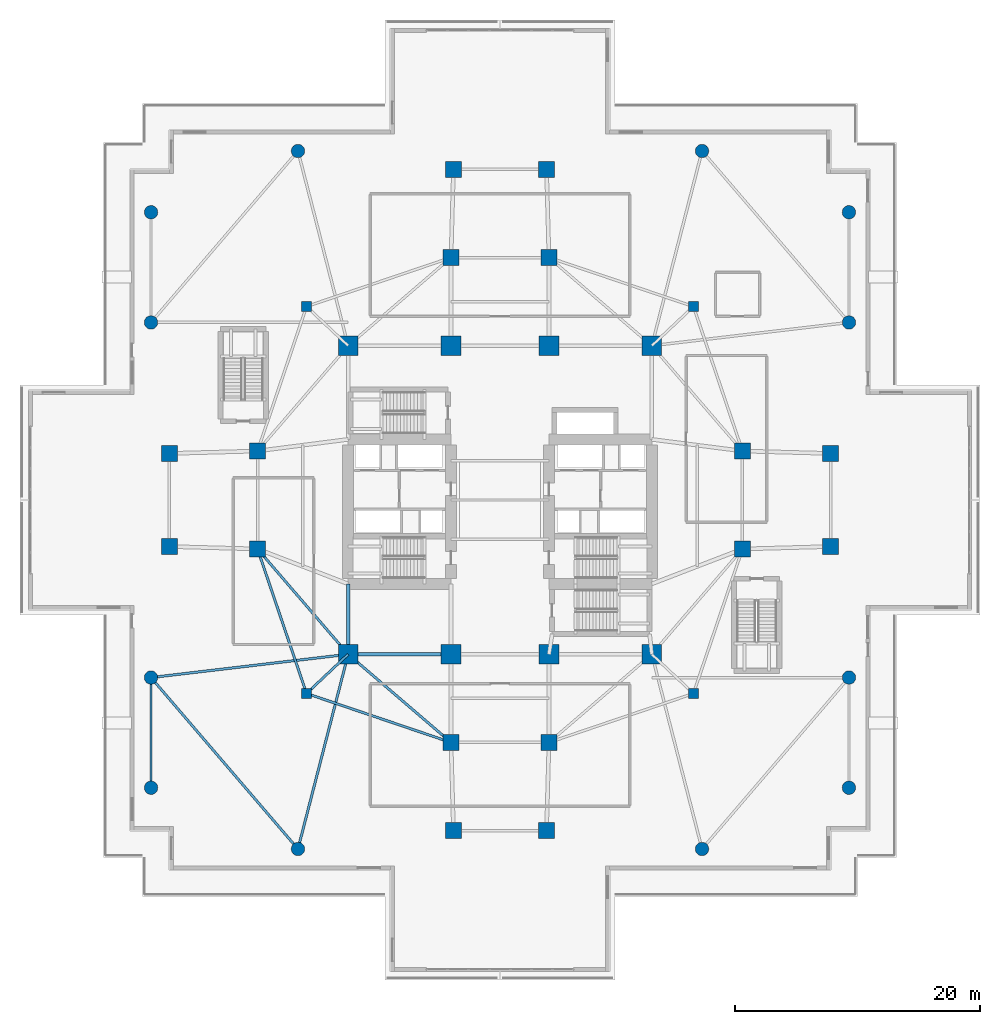
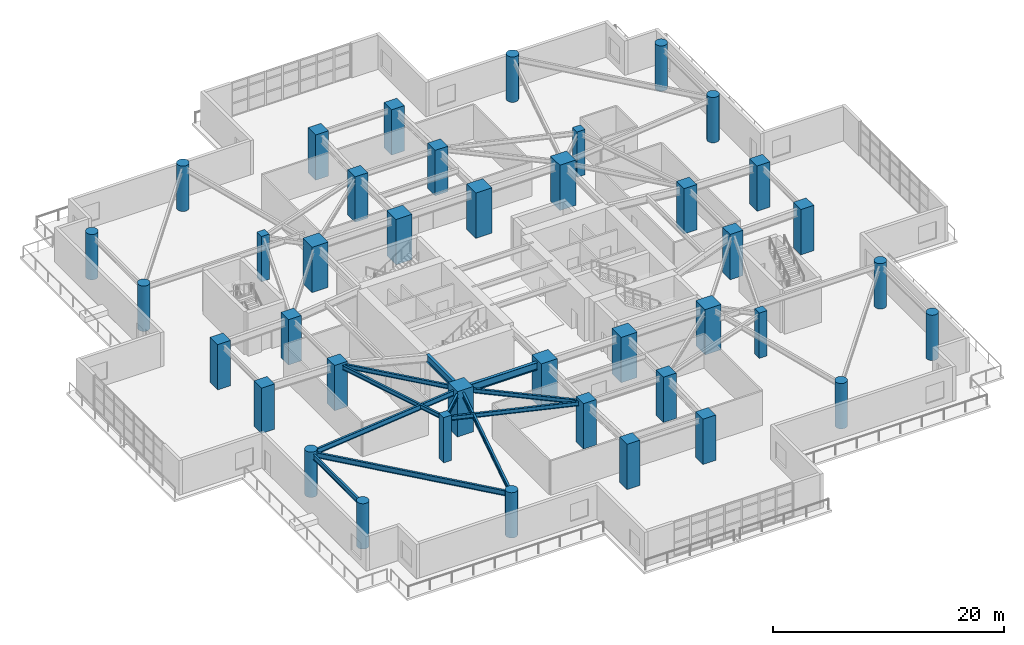
# One storey, part 1 of 23: 40 columns, 11 beams.
"""IFC4 building model written with IfcOpenShell, lengths in metres."""

from ifc_helpers import new_model, si_unit, direction, frame, origin, origin_2d, place, context, subcontext, project, spatial, rectangle, circle, i_section, extrude, material, material_profile, profile_set, type_object, element, save


model = new_model("IFC4")

# Units and contexts
model_context = context("Model", 3, precision=1e-05, world=origin(), true_north=direction((0.0, 1.0)))
body_context = subcontext(model_context, "Body", "Model", "MODEL_VIEW")
ifc_project = project(units=[si_unit("LENGTHUNIT", "METRE"), si_unit("AREAUNIT", "SQUARE_METRE"), si_unit("VOLUMEUNIT", "CUBIC_METRE"), si_unit("PLANEANGLEUNIT", "RADIAN"), si_unit("MASSUNIT", "GRAM", prefix="KILO")], contexts=[model_context])

# Site, building, storey
site_placement = place(None, origin())
site = spatial("IfcSite", under=ifc_project, at=site_placement, CompositionType="ELEMENT")
building_placement = place(site_placement, origin())
building = spatial("IfcBuilding", under=site, at=building_placement, Name="Qingluan Cross Belvedere", CompositionType="ELEMENT")
storey_placement = place(building_placement, frame((0.0, 0.0, 5.39990234375)))
storey = spatial("IfcBuildingStorey", under=building, at=storey_placement, Name="L02", CompositionType="ELEMENT", Elevation=5.39990234375)

# Columns
ifc_material_1 = material(Name="Concrete C60", Category="concrete")
ifc_material_profile_1 = material_profile(ifc_material_1, rectangle(XDim=1.300048828125, YDim=1.300048828125, at=origin_2d()), Name="RC1300x1300")
ifc_profile_set_1 = profile_set([ifc_material_profile_1], Name="Concrete C60")
column_type_1 = type_object("IfcColumnType", Name="Column_RC1300x1300", PredefinedType="COLUMN", material=ifc_profile_set_1)
for number, where, z_axis, x_axis, name in (
    (1, (19.800048828125, -4.0, 0.0), (0.0, 0.0, 1.0), (1.0, 0.0, 0.0), "Arm column L02-EIA"),
    (2, (19.800048828125, 4.0, 0.0), (0.0, 0.0, 1.0), (1.0, 0.0, 0.0), "Arm column L02-EIB"),
    (3, (-19.800048828125, -4.0, 0.0), (0.0, 0.0, 1.0), (1.0, 0.0, 0.0), "Arm column L02-WIA"),
    (4, (-19.800048828125, 4.0, 0.0), (0.0, 0.0, 1.0), (1.0, 0.0, 0.0), "Arm column L02-WIB"),
    (5, (-4.0, -19.800048828125, 0.0), (0.0, 0.0, 1.0), (1.0, 0.0, 0.0), "Arm column L02-SIA"),
    (6, (4.0, -19.800048828125, 0.0), (0.0, 0.0, 1.0), (1.0, 0.0, 0.0), "Arm column L02-SIB"),
    (7, (-4.0, 19.800048828125, 0.0), (0.0, 0.0, 1.0), (1.0, 0.0, 0.0), "Arm column L02-NIA"),
    (8, (4.0, 19.800048828125, 0.0), (0.0, 0.0, 1.0), (1.0, 0.0, 0.0), "Arm column L02-NIB"),
    (9, (27.0, -3.800048828125, 0.0), (0.0, 0.0, 1.0), (1.0, 0.0, 0.0), "Arm column L02-EOA"),
    (10, (27.0, 3.800048828125, 0.0), (0.0, 0.0, 1.0), (1.0, 0.0, 0.0), "Arm column L02-EOB"),
    (11, (-27.0, -3.800048828125, 0.0), (0.0, 0.0, 1.0), (1.0, 0.0, 0.0), "Arm column L02-WOA"),
    (12, (-27.0, 3.800048828125, 0.0), (0.0, 0.0, 1.0), (1.0, 0.0, 0.0), "Arm column L02-WOB"),
    (13, (-3.800048828125, -27.0, 0.0), (0.0, 0.0, 1.0), (1.0, 0.0, 0.0), "Arm column L02-SOA"),
    (14, (3.800048828125, -27.0, 0.0), (0.0, 0.0, 1.0), (1.0, 0.0, 0.0), "Arm column L02-SOB"),
    (15, (-3.800048828125, 27.0, 0.0), (0.0, 0.0, 1.0), (1.0, 0.0, 0.0), "Arm column L02-NOA"),
    (16, (3.800048828125, 27.0, 0.0), (0.0, 0.0, 1.0), (1.0, 0.0, 0.0), "Arm column L02-NOB"),
):
    element("IfcColumn", number, at=place(storey_placement, frame(where, z_axis=z_axis, x_axis=x_axis)), inside=storey, type_object=column_type_1, Name=name, PredefinedType="COLUMN", context=body_context, shape_type="SweptSolid", body=[
        extrude(rectangle(XDim=1.300048828125, YDim=1.300048828125, at=origin_2d()), origin(), (0.0, 0.0, 1.0), 4.800048828125),
    ])
ifc_material_2 = material(Name="Concrete C70", Category="concrete")
ifc_material_profile_2 = material_profile(ifc_material_2, rectangle(XDim=1.60009765625, YDim=1.60009765625, at=origin_2d()), Name="RC1600x1600")
ifc_profile_set_2 = profile_set([ifc_material_profile_2], Name="Concrete C70")
column_type_2 = type_object("IfcColumnType", Name="Column_RC1600x1600", PredefinedType="COLUMN", material=ifc_profile_set_2)
for number, where, z_axis, x_axis, name in (
    (17, (-12.39990234375, -12.60009765625, 0.0), (0.0, 0.0, 1.0), (1.0, 0.0, 0.0), "Hub column L02-HC1"),
    (18, (12.39990234375, -12.60009765625, 0.0), (0.0, 0.0, 1.0), (1.0, 0.0, 0.0), "Hub column L02-HC2"),
    (19, (12.39990234375, 12.60009765625, 0.0), (0.0, 0.0, 1.0), (1.0, 0.0, 0.0), "Hub column L02-HC3"),
    (20, (-12.39990234375, 12.60009765625, 0.0), (0.0, 0.0, 1.0), (1.0, 0.0, 0.0), "Hub column L02-HC4"),
    (21, (-4.0, -12.60009765625, 0.0), (0.0, 0.0, 1.0), (1.0, 0.0, 0.0), "Hub column L02-HC5"),
    (22, (4.0, -12.60009765625, 0.0), (0.0, 0.0, 1.0), (1.0, 0.0, 0.0), "Hub column L02-HC6"),
    (23, (4.0, 12.60009765625, 0.0), (0.0, 0.0, 1.0), (1.0, 0.0, 0.0), "Hub column L02-HC7"),
    (24, (-4.0, 12.60009765625, 0.0), (0.0, 0.0, 1.0), (1.0, 0.0, 0.0), "Hub column L02-HC8"),
):
    element("IfcColumn", number, at=place(storey_placement, frame(where, z_axis=z_axis, x_axis=x_axis)), inside=storey, type_object=column_type_2, Name=name, PredefinedType="COLUMN", context=body_context, shape_type="SweptSolid", body=[
        extrude(rectangle(XDim=1.60009765625, YDim=1.60009765625, at=origin_2d()), origin(), (0.0, 0.0, 1.0), 4.800048828125),
    ])
ifc_material_3 = material(Name="Concrete C50", Category="concrete")
ifc_material_profile_3 = material_profile(ifc_material_3, rectangle(XDim=0.800048828125, YDim=0.800048828125, at=origin_2d()), Name="RC800x800")
ifc_profile_set_3 = profile_set([ifc_material_profile_3], Name="Concrete C50")
column_type_3 = type_object("IfcColumnType", Name="Column_RC800x800", PredefinedType="COLUMN", material=ifc_profile_set_3)
for number, where, z_axis, x_axis, name in (
    (25, (15.800048828125, 15.800048828125, 0.0), (0.0, 0.0, 1.0), (1.0, 0.0, 0.0), "Corner column L02-RNE"),
    (26, (-15.800048828125, 15.800048828125, 0.0), (0.0, 0.0, 1.0), (1.0, 0.0, 0.0), "Corner column L02-RNW"),
    (27, (-15.800048828125, -15.800048828125, 0.0), (0.0, 0.0, 1.0), (1.0, 0.0, 0.0), "Corner column L02-RSW"),
    (28, (15.800048828125, -15.800048828125, 0.0), (0.0, 0.0, 1.0), (1.0, 0.0, 0.0), "Corner column L02-RSE"),
):
    element("IfcColumn", number, at=place(storey_placement, frame(where, z_axis=z_axis, x_axis=x_axis)), inside=storey, type_object=column_type_3, Name=name, PredefinedType="COLUMN", context=body_context, shape_type="SweptSolid", body=[
        extrude(rectangle(XDim=0.800048828125, YDim=0.800048828125, at=origin_2d()), origin(), (0.0, 0.0, 1.0), 4.800048828125),
    ])
ifc_material_4 = material(Name="Concrete C50", Category="concrete")
ifc_material_profile_4 = material_profile(ifc_material_4, circle(Radius=0.550048828125, at=origin_2d()), Name="RCC1100")
ifc_profile_set_4 = profile_set([ifc_material_profile_4], Name="Concrete C50")
column_type_4 = type_object("IfcColumnType", Name="Column_RCC1100", PredefinedType="COLUMN", material=ifc_profile_set_4)
for number, where, z_axis, x_axis, name in (
    (29, (-28.5, -14.5, 0.0), (0.0, 0.0, 1.0), (1.0, 0.0, 0.0), "Podium column L02-WS1"),
    (30, (-28.5, -23.5, 0.0), (0.0, 0.0, 1.0), (1.0, 0.0, 0.0), "Podium column L02-WS2"),
    (31, (-16.5, -28.5, 0.0), (0.0, 0.0, 1.0), (1.0, 0.0, 0.0), "Podium column L02-WS3"),
    (32, (-28.5, 14.5, 0.0), (0.0, 0.0, 1.0), (1.0, 0.0, 0.0), "Podium column L02-WN1"),
    (33, (-28.5, 23.5, 0.0), (0.0, 0.0, 1.0), (1.0, 0.0, 0.0), "Podium column L02-WN2"),
    (34, (-16.5, 28.5, 0.0), (0.0, 0.0, 1.0), (1.0, 0.0, 0.0), "Podium column L02-WN3"),
    (35, (28.5, -14.5, 0.0), (0.0, 0.0, 1.0), (1.0, 0.0, 0.0), "Podium column L02-ES1"),
    (36, (28.5, -23.5, 0.0), (0.0, 0.0, 1.0), (1.0, 0.0, 0.0), "Podium column L02-ES2"),
    (37, (16.5, -28.5, 0.0), (0.0, 0.0, 1.0), (1.0, 0.0, 0.0), "Podium column L02-ES3"),
    (38, (28.5, 14.5, 0.0), (0.0, 0.0, 1.0), (1.0, 0.0, 0.0), "Podium column L02-EN1"),
    (39, (28.5, 23.5, 0.0), (0.0, 0.0, 1.0), (1.0, 0.0, 0.0), "Podium column L02-EN2"),
    (40, (16.5, 28.5, 0.0), (0.0, 0.0, 1.0), (1.0, 0.0, 0.0), "Podium column L02-EN3"),
):
    element("IfcColumn", number, at=place(storey_placement, frame(where, z_axis=z_axis, x_axis=x_axis)), inside=storey, type_object=column_type_4, Name=name, PredefinedType="COLUMN", context=body_context, shape_type="SweptSolid", body=[
        extrude(circle(Radius=0.550048828125, at=origin_2d()), origin(), (0.0, 0.0, 1.0), 4.800048828125),
    ])

# Beams
ifc_material_5 = material(Name="Steel Q420GJB", Category="steel")
ifc_material_profile_5 = material_profile(ifc_material_5, i_section(OverallWidth=0.199951171875, OverallDepth=0.449951171875, WebThickness=0.009033203125, FlangeThickness=0.013916015625, FilletRadius=0.01611328125, at=origin_2d()), Name="HN450x200x9x14")
ifc_profile_set_5 = profile_set([ifc_material_profile_5], Name="Steel Q420GJB")
beam_type_1 = type_object("IfcBeamType", Name="Steel_Beam_HN450x200x9x14", PredefinedType="JOIST", material=ifc_profile_set_5)
beam_1_placement = place(storey_placement, frame((-12.39990234375, -12.60009765625, 4.3251953125), z_axis=(-0.728219948308, -0.685343495546, 0.0), x_axis=(0.685343495546, -0.728219948308, 0.0)))
element("IfcBeam", 41, at=beam_1_placement, inside=storey, type_object=beam_type_1, Name="Corner beam 1 L02-RSW", PredefinedType="JOIST", context=body_context, shape_type="SweptSolid", body=[
    extrude(i_section(OverallWidth=0.199951171875, OverallDepth=0.449951171875, WebThickness=0.009033203125, FlangeThickness=0.013916015625, FilletRadius=0.01611328125, at=origin_2d()), origin(), (0.0, 0.0, 1.0), 4.669189453125),
])
for number, where, z_axis, x_axis, name in (
    (42, (-15.800048828125, -15.800048828125, 4.3251953125), (0.947066283324, -0.321038089628, 0.0), (0.321038089628, 0.947066283324, 0.0), "Corner beam 2 L02-RSW"),
    (43, (-15.800048828125, -15.800048828125, 4.3251953125), (-0.321038089628, 0.947066283324, 0.0), (-0.947066283324, -0.321038089628, 0.0), "Corner beam 3 L02-RSW"),
):
    element("IfcBeam", number, at=place(storey_placement, frame(where, z_axis=z_axis, x_axis=x_axis)), inside=storey, type_object=beam_type_1, Name=name, PredefinedType="JOIST", context=body_context, shape_type="SweptSolid", body=[
        extrude(i_section(OverallWidth=0.199951171875, OverallDepth=0.449951171875, WebThickness=0.009033203125, FlangeThickness=0.013916015625, FilletRadius=0.01611328125, at=origin_2d()), origin(), (0.0, 0.0, 1.0), 12.45947265625),
    ])
beam_2_placement = place(storey_placement, frame((-12.39990234375, -12.60009765625, 4.3251953125), z_axis=(-0.652245077546, 0.75800815221, 0.0), x_axis=(-0.75800815221, -0.652245077546, 0.0)))
element("IfcBeam", 44, at=beam_2_placement, inside=storey, type_object=beam_type_1, Name="Corner beam 4 L02-RSW", PredefinedType="JOIST", context=body_context, shape_type="SweptSolid", body=[
    extrude(i_section(OverallWidth=0.199951171875, OverallDepth=0.449951171875, WebThickness=0.009033203125, FlangeThickness=0.013916015625, FilletRadius=0.01611328125, at=origin_2d()), origin(), (0.0, 0.0, 1.0), 11.345703125),
])
beam_3_placement = place(storey_placement, frame((-12.39990234375, -12.60009765625, 4.3251953125), z_axis=(0.759255044656, -0.650793190779, 0.0), x_axis=(0.650793190779, 0.759255044656, 0.0)))
element("IfcBeam", 45, at=beam_3_placement, inside=storey, type_object=beam_type_1, Name="Corner beam 5 L02-RSW", PredefinedType="JOIST", context=body_context, shape_type="SweptSolid", body=[
    extrude(i_section(OverallWidth=0.199951171875, OverallDepth=0.449951171875, WebThickness=0.009033203125, FlangeThickness=0.013916015625, FilletRadius=0.01611328125, at=origin_2d()), origin(), (0.0, 0.0, 1.0), 11.063232421875),
])
ifc_material_6 = material(Name="Steel Q420GJB", Category="steel")
ifc_material_profile_6 = material_profile(ifc_material_6, i_section(OverallWidth=0.199951171875, OverallDepth=0.550048828125, WebThickness=0.010009765625, FlangeThickness=0.01611328125, FilletRadius=0.01611328125, at=origin_2d()), Name="HN550x200x10x16")
ifc_profile_set_6 = profile_set([ifc_material_profile_6], Name="Steel Q420GJB")
beam_type_2 = type_object("IfcBeamType", Name="Steel_Beam_HN550x200x10x16", PredefinedType="JOIST", material=ifc_profile_set_6)
beam_4_placement = place(storey_placement, frame((-12.39990234375, -12.60009765625, 4.275146484375), z_axis=(-0.99310921872, -0.117192489917, 0.0), x_axis=(0.117192489917, -0.99310921872, 0.0)))
element("IfcBeam", 46, at=beam_4_placement, inside=storey, type_object=beam_type_2, Name="Podium quadrant tie beam L02-WSH1", PredefinedType="JOIST", context=body_context, shape_type="SweptSolid", body=[
    extrude(i_section(OverallWidth=0.199951171875, OverallDepth=0.550048828125, WebThickness=0.010009765625, FlangeThickness=0.01611328125, FilletRadius=0.01611328125, at=origin_2d()), origin(), (0.0, 0.0, 1.0), 16.2119140625),
])
beam_5_placement = place(storey_placement, frame((-12.39990234375, -12.60009765625, 4.275146484375), z_axis=(-0.249700840873, -0.968323029814, 0.0), x_axis=(0.968323029814, -0.249700840873, 0.0)))
element("IfcBeam", 47, at=beam_5_placement, inside=storey, type_object=beam_type_2, Name="Podium quadrant tie beam L02-WSH3", PredefinedType="JOIST", context=body_context, shape_type="SweptSolid", body=[
    extrude(i_section(OverallWidth=0.199951171875, OverallDepth=0.550048828125, WebThickness=0.010009765625, FlangeThickness=0.01611328125, FilletRadius=0.01611328125, at=origin_2d()), origin(), (0.0, 0.0, 1.0), 16.419921875),
])
beam_6_placement = place(storey_placement, frame((-28.5, -14.5, 4.275146484375), z_axis=(0.0, -1.0, 0.0), x_axis=(1.0, 0.0, 0.0)))
element("IfcBeam", 48, at=beam_6_placement, inside=storey, type_object=beam_type_2, Name="Podium quadrant tie beam L02-WS12", PredefinedType="JOIST", context=body_context, shape_type="SweptSolid", body=[
    extrude(i_section(OverallWidth=0.199951171875, OverallDepth=0.550048828125, WebThickness=0.010009765625, FlangeThickness=0.01611328125, FilletRadius=0.01611328125, at=origin_2d()), origin(), (0.0, 0.0, 1.0), 9.0),
])
beam_7_placement = place(storey_placement, frame((-28.5, -14.5, 4.275146484375), z_axis=(0.650791373456, -0.759256602365, 0.0), x_axis=(0.759256602365, 0.650791373456, 0.0)))
element("IfcBeam", 49, at=beam_7_placement, inside=storey, type_object=beam_type_2, Name="Podium quadrant tie beam L02-WS13", PredefinedType="JOIST", context=body_context, shape_type="SweptSolid", body=[
    extrude(i_section(OverallWidth=0.199951171875, OverallDepth=0.550048828125, WebThickness=0.010009765625, FlangeThickness=0.01611328125, FilletRadius=0.01611328125, at=origin_2d()), origin(), (0.0, 0.0, 1.0), 18.439208984375),
])
ifc_material_7 = material(Name="Steel Q420GJB", Category="steel")
ifc_material_profile_7 = material_profile(ifc_material_7, i_section(OverallWidth=0.300048828125, OverallDepth=0.800048828125, WebThickness=0.015380859375, FlangeThickness=0.028076171875, FilletRadius=0.030029296875, at=origin_2d()), Name="HEB800")
ifc_profile_set_7 = profile_set([ifc_material_profile_7], Name="Steel Q420GJB")
beam_type_3 = type_object("IfcBeamType", Name="Steel_Girder_HEB800", PredefinedType="USERDEFINED", material=ifc_profile_set_7)
beam_8_placement = place(storey_placement, frame((-12.39990234375, -12.60009765625, 4.150146484375), z_axis=(1.0, 0.0, 0.0), x_axis=(0.0, 1.0, 0.0)))
element("IfcBeam", 50, at=beam_8_placement, inside=storey, type_object=beam_type_3, Name="Hub girder L02-HG-S1", ObjectType="GIRDER", PredefinedType="USERDEFINED", context=body_context, shape_type="SweptSolid", body=[
    extrude(i_section(OverallWidth=0.300048828125, OverallDepth=0.800048828125, WebThickness=0.015380859375, FlangeThickness=0.028076171875, FilletRadius=0.030029296875, at=origin_2d()), origin(), (0.0, 0.0, 1.0), 8.39990234375),
])
beam_9_placement = place(storey_placement, frame((-12.39990234375, -12.60009765625, 4.150146484375), z_axis=(0.0, 1.0, 0.0), x_axis=(-1.0, 0.0, 0.0)))
element("IfcBeam", 51, at=beam_9_placement, inside=storey, type_object=beam_type_3, Name="Hub girder L02-HG-W1", ObjectType="GIRDER", PredefinedType="USERDEFINED", context=body_context, shape_type="SweptSolid", body=[
    extrude(i_section(OverallWidth=0.300048828125, OverallDepth=0.800048828125, WebThickness=0.015380859375, FlangeThickness=0.028076171875, FilletRadius=0.030029296875, at=origin_2d()), origin(), (0.0, 0.0, 1.0), 5.75),
])

save(model, "model.ifc")
